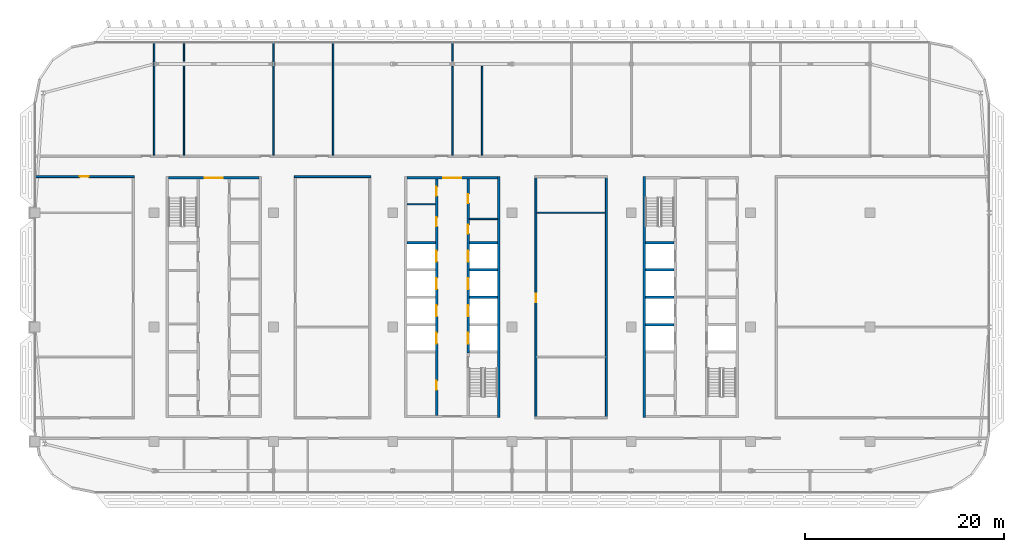
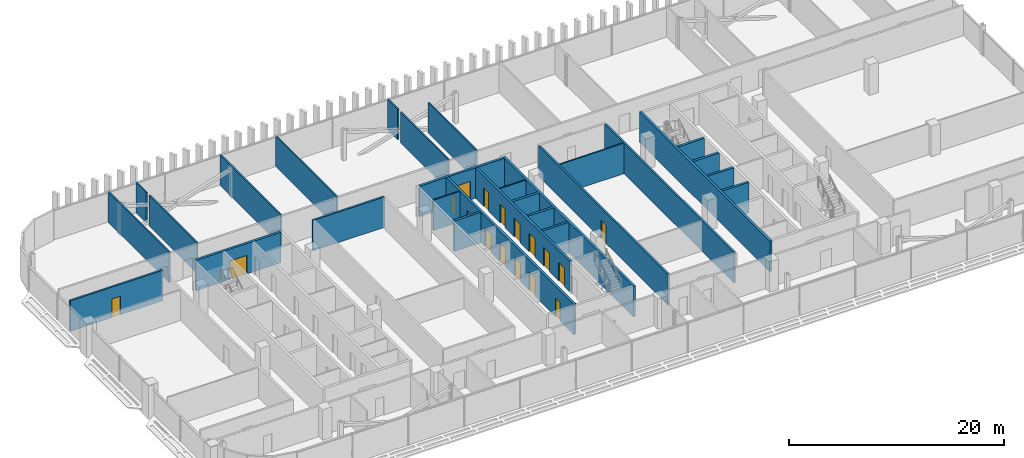
# One storey, part 19 of 32: 29 walls, 17 doors, 17 openings.
"""IFC4 building model written with IfcOpenShell, lengths in metres."""

from ifc_helpers import new_model, si_unit, direction, frame, frame_2d, origin, place, context, subcontext, project, spatial, rectangle, extrude, material, layer, layer_set, type_object, element, fill, save


model = new_model("IFC4")

# Units and contexts
model_context = context("Model", 3, precision=1e-05, world=origin(), true_north=direction((0.0, 1.0)))
body_context = subcontext(model_context, "Body", "Model", "MODEL_VIEW")
ifc_project = project(units=[si_unit("LENGTHUNIT", "METRE"), si_unit("AREAUNIT", "SQUARE_METRE"), si_unit("VOLUMEUNIT", "CUBIC_METRE"), si_unit("PLANEANGLEUNIT", "RADIAN"), si_unit("MASSUNIT", "GRAM", prefix="KILO")], contexts=[model_context])

# Site, building, storey
site_placement = place(None, origin())
site = spatial("IfcSite", under=ifc_project, at=site_placement, CompositionType="ELEMENT")
building_placement = place(site_placement, origin())
building = spatial("IfcBuilding", under=site, at=building_placement, Name="Mahtab Terrace Research Tower", CompositionType="ELEMENT")
storey_placement = place(building_placement, frame((0.0, 0.0, 232.39990234375)))
storey = spatial("IfcBuildingStorey", under=building, at=storey_placement, Name="L56", CompositionType="ELEMENT", Elevation=232.39990234375)

# Walls
ifc_material_1 = material(Name="Gypsum board partition")
ifc_layer_1 = layer(ifc_material_1, 0.14990234375)
ifc_layer_set_1 = layer_set([ifc_layer_1], Name="Core partition 150")
wall_type_1 = type_object("IfcWallType", Name="Core partition 150", PredefinedType="PARTITIONING", material=ifc_layer_set_1)
for number, where, z_axis, x_axis, name in (
    (1, (-4.550048828125, 12.35498046875, 0.0), (0.0, 0.0, 1.0), (1.0, 0.0, 0.0), "Core wall B pWN936"),
    (2, (1.699951171875, 10.875, 0.0), (0.0, 0.0, 1.0), (1.0, 0.0, 0.0), "Core wall B pEN788"),
):
    element("IfcWall", number, at=place(storey_placement, frame(where, z_axis=z_axis, x_axis=x_axis)), inside=storey, type_object=wall_type_1, Name=name, PredefinedType="PARTITIONING", context=body_context, shape_type="SweptSolid", body=[
        extrude(rectangle(XDim=2.85009765625, YDim=0.14990234375, at=frame_2d((1.425048828125, 0.0))), origin(), (0.0, 0.0, 1.0), 3.460205078125),
    ])

# Wall, opening, door
ifc_material_2 = material(Name="Concrete C70/85", Category="concrete")
ifc_layer_2 = layer(ifc_material_2, 0.25)
ifc_layer_set_2 = layer_set([ifc_layer_2], Name="Core wall 250")
wall_type_2 = type_object("IfcWallType", Name="Core wall 250", PredefinedType="SOLIDWALL", material=ifc_layer_set_2)
wall_1_placement = place(storey_placement, frame((-28.550048828125, 15.0, 0.0), z_axis=(0.0, 0.0, 1.0), x_axis=(1.0, 0.0, 0.0)))
wall_1 = element("IfcWall", 3, at=wall_1_placement, inside=storey, type_object=wall_type_2, Name="Core wall A endN", PredefinedType="SOLIDWALL", context=body_context, shape_type="SweptSolid", body=[
    extrude(rectangle(XDim=9.10009765625, YDim=0.25, at=frame_2d((4.550048828125, 0.0))), origin(), (0.0, 0.0, 1.0), 3.460205078125),
])
opening_1_placement = place(wall_1_placement, frame((3.64990234375, 0.0, 0.0)))
opening_1 = element("IfcOpeningElement", 4, at=opening_1_placement, cuts=wall_1, Name="Opening A-N1", PredefinedType="OPENING", context=body_context, shape_type="SweptSolid", body=[
    extrude(rectangle(XDim=1.800048828125, YDim=2.10009765625, at=frame_2d((0.89990234375, 1.050048828125))), frame((0.0, 0.135009765625, 0.0), z_axis=(0.0, -1.0, 0.0), x_axis=(1.0, 0.0, 0.0)), (0.0, 0.0, 1.0), 0.27001953125),
])
ifc_material_3 = material(Name="Steel fire door", Category="steel")
door_type_1 = type_object("IfcDoorType", Name="Lobby double door 1800x2100 1 HR", OperationType="DOUBLE_DOOR_SINGLE_SWING", PredefinedType="DOOR", material=ifc_material_3)
door_1_placement = place(opening_1_placement, origin())
door_1 = element("IfcDoor", 5, at=door_1_placement, inside=storey, type_object=door_type_1, Name="Core entrance door A N", OperationType="DOUBLE_DOOR_SINGLE_SWING", OverallHeight=2.10009765625, OverallWidth=1.800048828125, PredefinedType="DOOR", context=body_context, shape_type="SweptSolid", body=[
    extrude(rectangle(XDim=1.800048828125, YDim=2.10009765625, at=frame_2d((0.89990234375, 1.050048828125))), frame((0.0, 0.02490234375, 0.0), z_axis=(0.0, -1.0, 0.0), x_axis=(1.0, 0.0, 0.0)), (0.0, 0.0, 1.0), 0.050048828125),
])
fill(opening_1, door_1)

# Wall
wall_2_placement = place(storey_placement, frame((4.675048828125, -9.125, 0.0), z_axis=(0.0, 0.0, 1.0), x_axis=(0.0, 1.0, 0.0)))
element("IfcWall", 6, at=wall_2_placement, inside=storey, type_object=wall_type_2, Name="Core wall B outerE", PredefinedType="SOLIDWALL", context=body_context, shape_type="SweptSolid", body=[
    extrude(rectangle(XDim=24.25, YDim=0.25, at=frame_2d((12.125, 0.0))), origin(), (0.0, 0.0, 1.0), 3.460205078125),
])

# Wall, opening, door
wall_3_placement = place(storey_placement, frame((-4.550048828125, 15.0, 0.0), z_axis=(0.0, 0.0, 1.0), x_axis=(1.0, 0.0, 0.0)))
wall_3 = element("IfcWall", 7, at=wall_3_placement, inside=storey, type_object=wall_type_2, Name="Core wall B endN", PredefinedType="SOLIDWALL", context=body_context, shape_type="SweptSolid", body=[
    extrude(rectangle(XDim=9.10009765625, YDim=0.25, at=frame_2d((4.550048828125, 0.0))), origin(), (0.0, 0.0, 1.0), 3.460205078125),
])
opening_2_placement = place(wall_3_placement, frame((3.64990234375, 0.0, 0.0)))
opening_2 = element("IfcOpeningElement", 8, at=opening_2_placement, cuts=wall_3, Name="Opening B-N1", PredefinedType="OPENING", context=body_context, shape_type="SweptSolid", body=[
    extrude(rectangle(XDim=1.800048828125, YDim=2.10009765625, at=frame_2d((0.89990234375, 1.050048828125))), frame((0.0, 0.135009765625, 0.0), z_axis=(0.0, -1.0, 0.0), x_axis=(1.0, 0.0, 0.0)), (0.0, 0.0, 1.0), 0.27001953125),
])
door_2_placement = place(opening_2_placement, origin())
door_2 = element("IfcDoor", 9, at=door_2_placement, inside=storey, type_object=door_type_1, Name="Core entrance door B N", OperationType="DOUBLE_DOOR_SINGLE_SWING", OverallHeight=2.10009765625, OverallWidth=1.800048828125, PredefinedType="DOOR", context=body_context, shape_type="SweptSolid", body=[
    extrude(rectangle(XDim=1.800048828125, YDim=2.10009765625, at=frame_2d((0.89990234375, 1.050048828125))), frame((0.0, 0.02490234375, 0.0), z_axis=(0.0, -1.0, 0.0), x_axis=(1.0, 0.0, 0.0)), (0.0, 0.0, 1.0), 0.050048828125),
])
fill(opening_2, door_2)

# Wall, openings, doors
wall_4_placement = place(storey_placement, frame((-1.574951171875, -8.875, 0.0), z_axis=(0.0, 0.0, 1.0), x_axis=(0.0, 1.0, 0.0)))
wall_4 = element("IfcWall", 10, at=wall_4_placement, inside=storey, type_object=wall_type_2, Name="Core wall B innerWSLN", PredefinedType="SOLIDWALL", context=body_context, shape_type="SweptSolid", body=[
    extrude(rectangle(XDim=23.75, YDim=0.25, at=frame_2d((11.875, 0.0))), origin(), (0.0, 0.0, 1.0), 3.460205078125),
])
opening_3_placement = place(wall_4_placement, frame((7.199951171875, 0.0, 0.0)))
opening_3 = element("IfcOpeningElement", 11, at=opening_3_placement, cuts=wall_4, Name="Opening LD09-L56", PredefinedType="OPENING", context=body_context, shape_type="SweptSolid", body=[
    extrude(rectangle(XDim=1.10009765625, YDim=2.10009765625, at=frame_2d((0.550048828125, 1.050048828125))), frame((0.0, 0.135009765625, 0.0), z_axis=(0.0, -1.0, 0.0), x_axis=(1.0, 0.0, 0.0)), (0.0, 0.0, 1.0), 0.27001953125),
])
opening_4_placement = place(wall_4_placement, frame((9.949951171875, 0.0, 0.0)))
opening_4 = element("IfcOpeningElement", 12, at=opening_4_placement, cuts=wall_4, Name="Opening LD10-L56", PredefinedType="OPENING", context=body_context, shape_type="SweptSolid", body=[
    extrude(rectangle(XDim=1.10009765625, YDim=2.10009765625, at=frame_2d((0.550048828125, 1.050048828125))), frame((0.0, 0.135009765625, 0.0), z_axis=(0.0, -1.0, 0.0), x_axis=(1.0, 0.0, 0.0)), (0.0, 0.0, 1.0), 0.27001953125),
])
opening_5_placement = place(wall_4_placement, frame((12.699951171875, 0.0, 0.0)))
opening_5 = element("IfcOpeningElement", 13, at=opening_5_placement, cuts=wall_4, Name="Opening LD11-L56", PredefinedType="OPENING", context=body_context, shape_type="SweptSolid", body=[
    extrude(rectangle(XDim=1.10009765625, YDim=2.10009765625, at=frame_2d((0.550048828125, 1.050048828125))), frame((0.0, 0.135009765625, 0.0), z_axis=(0.0, -1.0, 0.0), x_axis=(1.0, 0.0, 0.0)), (0.0, 0.0, 1.0), 0.27001953125),
])
opening_6_placement = place(wall_4_placement, frame((15.449951171875, 0.0, 0.0)))
opening_6 = element("IfcOpeningElement", 14, at=opening_6_placement, cuts=wall_4, Name="Opening LD12-L56", PredefinedType="OPENING", context=body_context, shape_type="SweptSolid", body=[
    extrude(rectangle(XDim=1.10009765625, YDim=2.10009765625, at=frame_2d((0.550048828125, 1.050048828125))), frame((0.0, 0.135009765625, 0.0), z_axis=(0.0, -1.0, 0.0), x_axis=(1.0, 0.0, 0.0)), (0.0, 0.0, 1.0), 0.27001953125),
])
opening_7_placement = place(wall_4_placement, frame((2.550048828125, 0.0, 0.0)))
opening_7 = element("IfcOpeningElement", 15, at=opening_7_placement, cuts=wall_4, Name="Opening B-R1", PredefinedType="OPENING", context=body_context, shape_type="SweptSolid", body=[
    extrude(rectangle(XDim=0.89990234375, YDim=2.10009765625, at=frame_2d((0.449951171875, 1.050048828125))), frame((0.0, 0.135009765625, 0.0), z_axis=(0.0, -1.0, 0.0), x_axis=(1.0, 0.0, 0.0)), (0.0, 0.0, 1.0), 0.27001953125),
])
opening_8_placement = place(wall_4_placement, frame((19.00244140625, 0.0, 0.0)))
opening_8 = element("IfcOpeningElement", 16, at=opening_8_placement, cuts=wall_4, Name="Opening B-R2", PredefinedType="OPENING", context=body_context, shape_type="SweptSolid", body=[
    extrude(rectangle(XDim=0.89990234375, YDim=2.10009765625, at=frame_2d((0.449951171875, 1.050048828125))), frame((0.0, 0.135009765625, 0.0), z_axis=(0.0, -1.0, 0.0), x_axis=(1.0, 0.0, 0.0)), (0.0, 0.0, 1.0), 0.27001953125),
])
opening_9_placement = place(wall_4_placement, frame((22.077392578125, 0.0, 0.0)))
opening_9 = element("IfcOpeningElement", 17, at=opening_9_placement, cuts=wall_4, Name="Opening B-R3", PredefinedType="OPENING", context=body_context, shape_type="SweptSolid", body=[
    extrude(rectangle(XDim=0.89990234375, YDim=2.10009765625, at=frame_2d((0.449951171875, 1.050048828125))), frame((0.0, 0.135009765625, 0.0), z_axis=(0.0, -1.0, 0.0), x_axis=(1.0, 0.0, 0.0)), (0.0, 0.0, 1.0), 0.27001953125),
])
ifc_material_4 = material(Name="Stainless steel AISI 304", Category="steel")
door_type_2 = type_object("IfcDoorType", Name="Landing door 1100x2100", OperationType="DOUBLE_DOOR_SLIDING", PredefinedType="DOOR", material=ifc_material_4)
door_3_placement = place(opening_3_placement, origin())
door_3 = element("IfcDoor", 18, at=door_3_placement, inside=storey, type_object=door_type_2, Name="Landing door HR1 L56", OperationType="DOUBLE_DOOR_SLIDING", OverallHeight=2.10009765625, OverallWidth=1.10009765625, PredefinedType="DOOR", context=body_context, shape_type="SweptSolid", body=[
    extrude(rectangle(XDim=1.10009765625, YDim=2.10009765625, at=frame_2d((0.550048828125, 1.050048828125))), frame((0.0, 0.02490234375, 0.0), z_axis=(0.0, -1.0, 0.0), x_axis=(1.0, 0.0, 0.0)), (0.0, 0.0, 1.0), 0.050048828125),
])
fill(opening_3, door_3)
door_4_placement = place(opening_4_placement, origin())
door_4 = element("IfcDoor", 19, at=door_4_placement, inside=storey, type_object=door_type_2, Name="Landing door HR2 L56", OperationType="DOUBLE_DOOR_SLIDING", OverallHeight=2.10009765625, OverallWidth=1.10009765625, PredefinedType="DOOR", context=body_context, shape_type="SweptSolid", body=[
    extrude(rectangle(XDim=1.10009765625, YDim=2.10009765625, at=frame_2d((0.550048828125, 1.050048828125))), frame((0.0, 0.02490234375, 0.0), z_axis=(0.0, -1.0, 0.0), x_axis=(1.0, 0.0, 0.0)), (0.0, 0.0, 1.0), 0.050048828125),
])
fill(opening_4, door_4)
door_5_placement = place(opening_5_placement, origin())
door_5 = element("IfcDoor", 20, at=door_5_placement, inside=storey, type_object=door_type_2, Name="Landing door HR3 L56", OperationType="DOUBLE_DOOR_SLIDING", OverallHeight=2.10009765625, OverallWidth=1.10009765625, PredefinedType="DOOR", context=body_context, shape_type="SweptSolid", body=[
    extrude(rectangle(XDim=1.10009765625, YDim=2.10009765625, at=frame_2d((0.550048828125, 1.050048828125))), frame((0.0, 0.02490234375, 0.0), z_axis=(0.0, -1.0, 0.0), x_axis=(1.0, 0.0, 0.0)), (0.0, 0.0, 1.0), 0.050048828125),
])
fill(opening_5, door_5)
door_6_placement = place(opening_6_placement, origin())
door_6 = element("IfcDoor", 21, at=door_6_placement, inside=storey, type_object=door_type_2, Name="Landing door HR4 L56", OperationType="DOUBLE_DOOR_SLIDING", OverallHeight=2.10009765625, OverallWidth=1.10009765625, PredefinedType="DOOR", context=body_context, shape_type="SweptSolid", body=[
    extrude(rectangle(XDim=1.10009765625, YDim=2.10009765625, at=frame_2d((0.550048828125, 1.050048828125))), frame((0.0, 0.02490234375, 0.0), z_axis=(0.0, -1.0, 0.0), x_axis=(1.0, 0.0, 0.0)), (0.0, 0.0, 1.0), 0.050048828125),
])
fill(opening_6, door_6)
door_type_3 = type_object("IfcDoorType", Name="Room door 900x2100 1 HR", OperationType="NOTDEFINED", PredefinedType="DOOR", material=ifc_material_3)
door_7_placement = place(opening_7_placement, origin())
door_7 = element("IfcDoor", 22, at=door_7_placement, inside=storey, type_object=door_type_3, Name="Gas cylinder store door", OperationType="SINGLE_SWING_LEFT", OverallHeight=2.10009765625, OverallWidth=0.89990234375, PredefinedType="DOOR", context=body_context, shape_type="SweptSolid", body=[
    extrude(rectangle(XDim=0.89990234375, YDim=2.10009765625, at=frame_2d((0.449951171875, 1.050048828125))), frame((0.0, 0.02490234375, 0.0), z_axis=(0.0, -1.0, 0.0), x_axis=(1.0, 0.0, 0.0)), (0.0, 0.0, 1.0), 0.050048828125),
])
fill(opening_7, door_7)
door_8_placement = place(opening_8_placement, origin())
door_8 = element("IfcDoor", 23, at=door_8_placement, inside=storey, type_object=door_type_3, Name="Pantry door", OperationType="SINGLE_SWING_RIGHT", OverallHeight=2.10009765625, OverallWidth=0.89990234375, PredefinedType="DOOR", context=body_context, shape_type="SweptSolid", body=[
    extrude(rectangle(XDim=0.89990234375, YDim=2.10009765625, at=frame_2d((0.449951171875, 1.050048828125))), frame((0.0, 0.02490234375, 0.0), z_axis=(0.0, -1.0, 0.0), x_axis=(1.0, 0.0, 0.0)), (0.0, 0.0, 1.0), 0.050048828125),
])
fill(opening_8, door_8)
door_9_placement = place(opening_9_placement, origin())
door_9 = element("IfcDoor", 24, at=door_9_placement, inside=storey, type_object=door_type_3, Name="Linen store door", OperationType="SINGLE_SWING_LEFT", OverallHeight=2.10009765625, OverallWidth=0.89990234375, PredefinedType="DOOR", context=body_context, shape_type="SweptSolid", body=[
    extrude(rectangle(XDim=0.89990234375, YDim=2.10009765625, at=frame_2d((0.449951171875, 1.050048828125))), frame((0.0, 0.02490234375, 0.0), z_axis=(0.0, -1.0, 0.0), x_axis=(1.0, 0.0, 0.0)), (0.0, 0.0, 1.0), 0.050048828125),
])
fill(opening_9, door_9)

wall_5_placement = place(storey_placement, frame((1.574951171875, 14.875, 0.0), z_axis=(0.0, 0.0, 1.0), x_axis=(0.0, -1.0, 0.0)))
wall_5 = element("IfcWall", 25, at=wall_5_placement, inside=storey, type_object=wall_type_2, Name="Core wall B innerELN", PredefinedType="SOLIDWALL", context=body_context, shape_type="SweptSolid", body=[
    extrude(rectangle(XDim=17.5, YDim=0.25, at=frame_2d((8.75, 0.0))), origin(), (0.0, 0.0, 1.0), 3.460205078125),
])
opening_10_placement = place(wall_5_placement, frame((15.449951171875, 0.0, 0.0)))
opening_10 = element("IfcOpeningElement", 26, at=opening_10_placement, cuts=wall_5, Name="Opening LD13-L56", PredefinedType="OPENING", context=body_context, shape_type="SweptSolid", body=[
    extrude(rectangle(XDim=1.10009765625, YDim=2.10009765625, at=frame_2d((0.550048828125, 1.050048828125))), frame((0.0, 0.135009765625, 0.0), z_axis=(0.0, -1.0, 0.0), x_axis=(1.0, 0.0, 0.0)), (0.0, 0.0, 1.0), 0.27001953125),
])
opening_11_placement = place(wall_5_placement, frame((12.699951171875, 0.0, 0.0)))
opening_11 = element("IfcOpeningElement", 27, at=opening_11_placement, cuts=wall_5, Name="Opening LD14-L56", PredefinedType="OPENING", context=body_context, shape_type="SweptSolid", body=[
    extrude(rectangle(XDim=1.10009765625, YDim=2.10009765625, at=frame_2d((0.550048828125, 1.050048828125))), frame((0.0, 0.135009765625, 0.0), z_axis=(0.0, -1.0, 0.0), x_axis=(1.0, 0.0, 0.0)), (0.0, 0.0, 1.0), 0.27001953125),
])
opening_12_placement = place(wall_5_placement, frame((9.949951171875, 0.0, 0.0)))
opening_12 = element("IfcOpeningElement", 28, at=opening_12_placement, cuts=wall_5, Name="Opening LD15-L56", PredefinedType="OPENING", context=body_context, shape_type="SweptSolid", body=[
    extrude(rectangle(XDim=1.10009765625, YDim=2.10009765625, at=frame_2d((0.550048828125, 1.050048828125))), frame((0.0, 0.135009765625, 0.0), z_axis=(0.0, -1.0, 0.0), x_axis=(1.0, 0.0, 0.0)), (0.0, 0.0, 1.0), 0.27001953125),
])
opening_13_placement = place(wall_5_placement, frame((7.199951171875, 0.0, 0.0)))
opening_13 = element("IfcOpeningElement", 29, at=opening_13_placement, cuts=wall_5, Name="Opening LD16-L56", PredefinedType="OPENING", context=body_context, shape_type="SweptSolid", body=[
    extrude(rectangle(XDim=1.10009765625, YDim=2.10009765625, at=frame_2d((0.550048828125, 1.050048828125))), frame((0.0, 0.135009765625, 0.0), z_axis=(0.0, -1.0, 0.0), x_axis=(1.0, 0.0, 0.0)), (0.0, 0.0, 1.0), 0.27001953125),
])
opening_14_placement = place(wall_5_placement, frame((4.58740234375, 0.0, 0.0)))
opening_14 = element("IfcOpeningElement", 30, at=opening_14_placement, cuts=wall_5, Name="Opening B-R4", PredefinedType="OPENING", context=body_context, shape_type="SweptSolid", body=[
    extrude(rectangle(XDim=0.89990234375, YDim=2.10009765625, at=frame_2d((0.449951171875, 1.050048828125))), frame((0.0, 0.135009765625, 0.0), z_axis=(0.0, -1.0, 0.0), x_axis=(1.0, 0.0, 0.0)), (0.0, 0.0, 1.0), 0.27001953125),
])
opening_15_placement = place(wall_5_placement, frame((1.512451171875, 0.0, 0.0)))
opening_15 = element("IfcOpeningElement", 31, at=opening_15_placement, cuts=wall_5, Name="Opening B-R5", PredefinedType="OPENING", context=body_context, shape_type="SweptSolid", body=[
    extrude(rectangle(XDim=0.89990234375, YDim=2.10009765625, at=frame_2d((0.449951171875, 1.050048828125))), frame((0.0, 0.135009765625, 0.0), z_axis=(0.0, -1.0, 0.0), x_axis=(1.0, 0.0, 0.0)), (0.0, 0.0, 1.0), 0.27001953125),
])
door_10_placement = place(opening_10_placement, origin())
door_10 = element("IfcDoor", 32, at=door_10_placement, inside=storey, type_object=door_type_2, Name="Landing door HR5 L56", OperationType="DOUBLE_DOOR_SLIDING", OverallHeight=2.10009765625, OverallWidth=1.10009765625, PredefinedType="DOOR", context=body_context, shape_type="SweptSolid", body=[
    extrude(rectangle(XDim=1.10009765625, YDim=2.10009765625, at=frame_2d((0.550048828125, 1.050048828125))), frame((0.0, 0.02490234375, 0.0), z_axis=(0.0, -1.0, 0.0), x_axis=(1.0, 0.0, 0.0)), (0.0, 0.0, 1.0), 0.050048828125),
])
fill(opening_10, door_10)
door_11_placement = place(opening_11_placement, origin())
door_11 = element("IfcDoor", 33, at=door_11_placement, inside=storey, type_object=door_type_2, Name="Landing door HR6 L56", OperationType="DOUBLE_DOOR_SLIDING", OverallHeight=2.10009765625, OverallWidth=1.10009765625, PredefinedType="DOOR", context=body_context, shape_type="SweptSolid", body=[
    extrude(rectangle(XDim=1.10009765625, YDim=2.10009765625, at=frame_2d((0.550048828125, 1.050048828125))), frame((0.0, 0.02490234375, 0.0), z_axis=(0.0, -1.0, 0.0), x_axis=(1.0, 0.0, 0.0)), (0.0, 0.0, 1.0), 0.050048828125),
])
fill(opening_11, door_11)
door_12_placement = place(opening_12_placement, origin())
door_12 = element("IfcDoor", 34, at=door_12_placement, inside=storey, type_object=door_type_2, Name="Landing door HR7 L56", OperationType="DOUBLE_DOOR_SLIDING", OverallHeight=2.10009765625, OverallWidth=1.10009765625, PredefinedType="DOOR", context=body_context, shape_type="SweptSolid", body=[
    extrude(rectangle(XDim=1.10009765625, YDim=2.10009765625, at=frame_2d((0.550048828125, 1.050048828125))), frame((0.0, 0.02490234375, 0.0), z_axis=(0.0, -1.0, 0.0), x_axis=(1.0, 0.0, 0.0)), (0.0, 0.0, 1.0), 0.050048828125),
])
fill(opening_12, door_12)
door_13_placement = place(opening_13_placement, origin())
door_13 = element("IfcDoor", 35, at=door_13_placement, inside=storey, type_object=door_type_2, Name="Landing door HR8 L56", OperationType="DOUBLE_DOOR_SLIDING", OverallHeight=2.10009765625, OverallWidth=1.10009765625, PredefinedType="DOOR", context=body_context, shape_type="SweptSolid", body=[
    extrude(rectangle(XDim=1.10009765625, YDim=2.10009765625, at=frame_2d((0.550048828125, 1.050048828125))), frame((0.0, 0.02490234375, 0.0), z_axis=(0.0, -1.0, 0.0), x_axis=(1.0, 0.0, 0.0)), (0.0, 0.0, 1.0), 0.050048828125),
])
fill(opening_13, door_13)
door_14_placement = place(opening_14_placement, origin())
door_14 = element("IfcDoor", 36, at=door_14_placement, inside=storey, type_object=door_type_3, Name="Accessible WC door", OperationType="SINGLE_SWING_RIGHT", OverallHeight=2.10009765625, OverallWidth=0.89990234375, PredefinedType="DOOR", context=body_context, shape_type="SweptSolid", body=[
    extrude(rectangle(XDim=0.89990234375, YDim=2.10009765625, at=frame_2d((0.449951171875, 1.050048828125))), frame((0.0, 0.02490234375, 0.0), z_axis=(0.0, -1.0, 0.0), x_axis=(1.0, 0.0, 0.0)), (0.0, 0.0, 1.0), 0.050048828125),
])
fill(opening_14, door_14)
door_15_placement = place(opening_15_placement, origin())
door_15 = element("IfcDoor", 37, at=door_15_placement, inside=storey, type_object=door_type_3, Name="WC block door", OperationType="SINGLE_SWING_LEFT", OverallHeight=2.10009765625, OverallWidth=0.89990234375, PredefinedType="DOOR", context=body_context, shape_type="SweptSolid", body=[
    extrude(rectangle(XDim=0.89990234375, YDim=2.10009765625, at=frame_2d((0.449951171875, 1.050048828125))), frame((0.0, 0.02490234375, 0.0), z_axis=(0.0, -1.0, 0.0), x_axis=(1.0, 0.0, 0.0)), (0.0, 0.0, 1.0), 0.050048828125),
])
fill(opening_15, door_15)

# Walls
for number, where, z_axis, x_axis, name in (
    (38, (-4.550048828125, 8.5, 0.0), (0.0, 0.0, 1.0), (1.0, 0.0, 0.0), "Core wall B divW4"),
    (39, (1.699951171875, 3.0, 0.0), (0.0, 0.0, 1.0), (1.0, 0.0, 0.0), "Core wall B divE2"),
    (40, (1.699951171875, 5.75, 0.0), (0.0, 0.0, 1.0), (1.0, 0.0, 0.0), "Core wall B divE3"),
    (41, (1.699951171875, 8.5, 0.0), (0.0, 0.0, 1.0), (1.0, 0.0, 0.0), "Core wall B divE4"),
):
    element("IfcWall", number, at=place(storey_placement, frame(where, z_axis=z_axis, x_axis=x_axis)), inside=storey, type_object=wall_type_2, Name=name, PredefinedType="SOLIDWALL", context=body_context, shape_type="SweptSolid", body=[
        extrude(rectangle(XDim=2.85009765625, YDim=0.25, at=frame_2d((1.425048828125, 0.0))), origin(), (0.0, 0.0, 1.0), 3.460205078125),
    ])
wall_6_placement = place(storey_placement, frame((19.324951171875, 15.125, 0.0), z_axis=(0.0, 0.0, 1.0), x_axis=(0.0, -1.0, 0.0)))
element("IfcWall", 42, at=wall_6_placement, inside=storey, type_object=wall_type_2, Name="Core wall C outerW", PredefinedType="SOLIDWALL", context=body_context, shape_type="SweptSolid", body=[
    extrude(rectangle(XDim=24.25, YDim=0.25, at=frame_2d((12.125, 0.0))), origin(), (0.0, 0.0, 1.0), 3.460205078125),
])
for number, where, z_axis, x_axis, name in (
    (43, (19.449951171875, 0.25, 0.0), (0.0, 0.0, 1.0), (1.0, 0.0, 0.0), "Core wall C divW1"),
    (44, (19.449951171875, 3.0, 0.0), (0.0, 0.0, 1.0), (1.0, 0.0, 0.0), "Core wall C divW2"),
    (45, (19.449951171875, 5.75, 0.0), (0.0, 0.0, 1.0), (1.0, 0.0, 0.0), "Core wall C divW3"),
    (46, (19.449951171875, 8.5, 0.0), (0.0, 0.0, 1.0), (1.0, 0.0, 0.0), "Core wall C divW4"),
):
    element("IfcWall", number, at=place(storey_placement, frame(where, z_axis=z_axis, x_axis=x_axis)), inside=storey, type_object=wall_type_2, Name=name, PredefinedType="SOLIDWALL", context=body_context, shape_type="SweptSolid", body=[
        extrude(rectangle(XDim=2.85009765625, YDim=0.25, at=frame_2d((1.425048828125, 0.0))), origin(), (0.0, 0.0, 1.0), 3.460205078125),
    ])

# Wall, opening, door
ifc_material_5 = material(Name="Gypsum board corridor wall on steel studs", Category="steel")
ifc_layer_3 = layer(ifc_material_5, 0.199951171875)
ifc_layer_set_3 = layer_set([ifc_layer_3], Name="WALL CORRIDOR 200")
wall_type_3 = type_object("IfcWallType", Name="WALL CORRIDOR 200", PredefinedType="PARTITIONING", material=ifc_layer_set_3)
wall_7_placement = place(storey_placement, frame((-41.97509765625, 15.125, 0.0), z_axis=(0.0, 0.0, 1.0), x_axis=(1.0, 0.0, 0.0)))
wall_7 = element("IfcWall", 47, at=wall_7_placement, inside=storey, type_object=wall_type_3, Name="L56-W021", PredefinedType="PARTITIONING", context=body_context, shape_type="SweptSolid", body=[
    extrude(rectangle(XDim=9.97509765625, YDim=0.199951171875, at=frame_2d((4.987548828125, 0.0))), origin(), (0.0, 0.0, 1.0), 3.460205078125),
])
opening_16_placement = place(wall_7_placement, frame((4.5, 0.0, 0.0)))
opening_16 = element("IfcOpeningElement", 48, at=opening_16_placement, cuts=wall_7, Name="Opening L56-120", PredefinedType="OPENING", context=body_context, shape_type="SweptSolid", body=[
    extrude(rectangle(XDim=0.89990234375, YDim=2.10009765625, at=frame_2d((0.449951171875, 1.050048828125))), frame((0.0, 0.10986328125, 0.0), z_axis=(0.0, -1.0, 0.0), x_axis=(1.0, 0.0, 0.0)), (0.0, 0.0, 1.0), 0.219970703125),
])
ifc_material_6 = material(Name="Timber door leaf in steel frame", Category="steel")
door_type_4 = type_object("IfcDoorType", Name="DOOR 0900X2100 FD30S", OperationType="SINGLE_SWING_LEFT", PredefinedType="DOOR", material=ifc_material_6)
door_16_placement = place(opening_16_placement, origin())
door_16 = element("IfcDoor", 49, at=door_16_placement, inside=storey, type_object=door_type_4, Name="Door L56-120", OperationType="SINGLE_SWING_LEFT", OverallHeight=2.10009765625, OverallWidth=0.89990234375, PredefinedType="DOOR", context=body_context, shape_type="SweptSolid", body=[
    extrude(rectangle(XDim=0.89990234375, YDim=2.10009765625, at=frame_2d((0.449951171875, 1.050048828125))), frame((0.0, 0.02490234375, 0.0), z_axis=(0.0, -1.0, 0.0), x_axis=(1.0, 0.0, 0.0)), (0.0, 0.0, 1.0), 0.050048828125),
])
fill(opening_16, door_16)

# Wall
wall_8_placement = place(storey_placement, frame((-15.89990234375, 15.125, 0.0), z_axis=(0.0, 0.0, 1.0), x_axis=(1.0, 0.0, 0.0)))
element("IfcWall", 50, at=wall_8_placement, inside=storey, type_object=wall_type_3, Name="L56-W022", PredefinedType="PARTITIONING", context=body_context, shape_type="SweptSolid", body=[
    extrude(rectangle(XDim=7.699951171875, YDim=0.199951171875, at=frame_2d((3.85009765625, 0.0))), origin(), (0.0, 0.0, 1.0), 3.460205078125),
])

# Wall, opening, door
wall_9_placement = place(storey_placement, frame((8.39990234375, -9.02490234375, 0.0), z_axis=(0.0, 0.0, 1.0), x_axis=(0.0, 1.0, 0.0)))
wall_9 = element("IfcWall", 51, at=wall_9_placement, inside=storey, type_object=wall_type_3, Name="L56-W044", PredefinedType="PARTITIONING", context=body_context, shape_type="SweptSolid", body=[
    extrude(rectangle(XDim=24.0498046875, YDim=0.199951171875, at=frame_2d((12.02490234375, 0.0))), origin(), (0.0, 0.0, 1.0), 3.460205078125),
])
opening_17_placement = place(wall_9_placement, frame((11.5, 0.0, 0.0)))
opening_17 = element("IfcOpeningElement", 52, at=opening_17_placement, cuts=wall_9, Name="Opening L56-117", PredefinedType="OPENING", context=body_context, shape_type="SweptSolid", body=[
    extrude(rectangle(XDim=0.89990234375, YDim=2.10009765625, at=frame_2d((0.449951171875, 1.050048828125))), frame((0.0, 0.10986328125, 0.0), z_axis=(0.0, -1.0, 0.0), x_axis=(1.0, 0.0, 0.0)), (0.0, 0.0, 1.0), 0.219970703125),
])
door_17_placement = place(opening_17_placement, origin())
door_17 = element("IfcDoor", 53, at=door_17_placement, inside=storey, type_object=door_type_4, Name="Door L56-117", OperationType="SINGLE_SWING_RIGHT", OverallHeight=2.10009765625, OverallWidth=0.89990234375, PredefinedType="DOOR", context=body_context, shape_type="SweptSolid", body=[
    extrude(rectangle(XDim=0.89990234375, YDim=2.10009765625, at=frame_2d((0.449951171875, 1.050048828125))), frame((0.0, 0.02490234375, 0.0), z_axis=(0.0, -1.0, 0.0), x_axis=(1.0, 0.0, 0.0)), (0.0, 0.0, 1.0), 0.050048828125),
])
fill(opening_17, door_17)

# Walls
wall_10_placement = place(storey_placement, frame((15.5, -9.02490234375, 0.0), z_axis=(0.0, 0.0, 1.0), x_axis=(0.0, 1.0, 0.0)))
element("IfcWall", 54, at=wall_10_placement, inside=storey, type_object=wall_type_3, Name="L56-W048", PredefinedType="PARTITIONING", context=body_context, shape_type="SweptSolid", body=[
    extrude(rectangle(XDim=24.0498046875, YDim=0.199951171875, at=frame_2d((12.02490234375, 0.0))), origin(), (0.0, 0.0, 1.0), 3.460205078125),
])
ifc_material_7 = material(Name="Gypsum board partition on steel studs", Category="steel")
ifc_layer_4 = layer(ifc_material_7, 0.14990234375)
ifc_layer_set_4 = layer_set([ifc_layer_4], Name="WALL PARTITION 150")
wall_type_4 = type_object("IfcWallType", Name="WALL PARTITION 150", PredefinedType="PARTITIONING", material=ifc_layer_set_4)
wall_11_placement = place(storey_placement, frame((8.5, 11.5, 0.0), z_axis=(0.0, 0.0, 1.0), x_axis=(1.0, 0.0, 0.0)))
element("IfcWall", 55, at=wall_11_placement, inside=storey, type_object=wall_type_4, Name="L56-W020", PredefinedType="PARTITIONING", context=body_context, shape_type="SweptSolid", body=[
    extrude(rectangle(XDim=6.89990234375, YDim=0.14990234375, at=frame_2d((3.449951171875, 0.0))), origin(), (0.0, 0.0, 1.0), 3.460205078125),
])
wall_12_placement = place(storey_placement, frame((-30.0, 17.300048828125, 0.0), z_axis=(0.0, 0.0, 1.0), x_axis=(0.0, 1.0, 0.0)))
element("IfcWall", 56, at=wall_12_placement, inside=storey, type_object=wall_type_4, Name="L56-W027", PredefinedType="PARTITIONING", context=body_context, shape_type="SweptSolid", body=[
    extrude(rectangle(XDim=11.31396484375, YDim=0.14990234375, at=frame_2d((5.656982421875, 0.0))), origin(), (0.0, 0.0, 1.0), 3.460205078125),
])
wall_13_placement = place(storey_placement, frame((-27.0, 17.300048828125, 0.0), z_axis=(0.0, 0.0, 1.0), x_axis=(0.0, 1.0, 0.0)))
element("IfcWall", 57, at=wall_13_placement, inside=storey, type_object=wall_type_4, Name="L56-W029", PredefinedType="PARTITIONING", context=body_context, shape_type="SweptSolid", body=[
    extrude(rectangle(XDim=8.920654296875, YDim=0.14990234375, at=frame_2d((4.46044921875, 0.0))), origin(), (0.0, 0.0, 1.0), 3.460205078125),
])
wall_14_placement = place(storey_placement, frame((-27.0, 26.725341796875, 0.0), z_axis=(0.0, 0.0, 1.0), x_axis=(0.0, 1.0, 0.0)))
element("IfcWall", 58, at=wall_14_placement, inside=storey, type_object=wall_type_4, Name="L56-W030", PredefinedType="PARTITIONING", context=body_context, shape_type="SweptSolid", body=[
    extrude(rectangle(XDim=1.888671875, YDim=0.14990234375, at=frame_2d((0.9443359375, 0.0))), origin(), (0.0, 0.0, 1.0), 3.460205078125),
])
for number, where, z_axis, x_axis, name in (
    (59, (-18.0, 17.300048828125, 0.0), (0.0, 0.0, 1.0), (0.0, 1.0, 0.0), "L56-W034"),
    (60, (-12.0, 17.300048828125, 0.0), (0.0, 0.0, 1.0), (0.0, 1.0, 0.0), "L56-W037"),
):
    element("IfcWall", number, at=place(storey_placement, frame(where, z_axis=z_axis, x_axis=x_axis)), inside=storey, type_object=wall_type_4, Name=name, PredefinedType="PARTITIONING", context=body_context, shape_type="SweptSolid", body=[
        extrude(rectangle(XDim=11.31396484375, YDim=0.14990234375, at=frame_2d((5.656982421875, 0.0))), origin(), (0.0, 0.0, 1.0), 3.460205078125),
    ])
wall_15_placement = place(storey_placement, frame((0.0, 17.300048828125, 0.0), z_axis=(0.0, 0.0, 1.0), x_axis=(0.0, 1.0, 0.0)))
element("IfcWall", 61, at=wall_15_placement, inside=storey, type_object=wall_type_4, Name="L56-W040", PredefinedType="PARTITIONING", context=body_context, shape_type="SweptSolid", body=[
    extrude(rectangle(XDim=8.920654296875, YDim=0.14990234375, at=frame_2d((4.46044921875, 0.0))), origin(), (0.0, 0.0, 1.0), 3.460205078125),
])
wall_16_placement = place(storey_placement, frame((0.0, 26.725341796875, 0.0), z_axis=(0.0, 0.0, 1.0), x_axis=(0.0, 1.0, 0.0)))
element("IfcWall", 62, at=wall_16_placement, inside=storey, type_object=wall_type_4, Name="L56-W041", PredefinedType="PARTITIONING", context=body_context, shape_type="SweptSolid", body=[
    extrude(rectangle(XDim=1.888671875, YDim=0.14990234375, at=frame_2d((0.9443359375, 0.0))), origin(), (0.0, 0.0, 1.0), 3.460205078125),
])
wall_17_placement = place(storey_placement, frame((3.0, 17.300048828125, 0.0), z_axis=(0.0, 0.0, 1.0), x_axis=(0.0, 1.0, 0.0)))
element("IfcWall", 63, at=wall_17_placement, inside=storey, type_object=wall_type_4, Name="L56-W042", PredefinedType="PARTITIONING", context=body_context, shape_type="SweptSolid", body=[
    extrude(rectangle(XDim=8.920654296875, YDim=0.14990234375, at=frame_2d((4.46044921875, 0.0))), origin(), (0.0, 0.0, 1.0), 3.460205078125),
])

save(model, "model.ifc")
